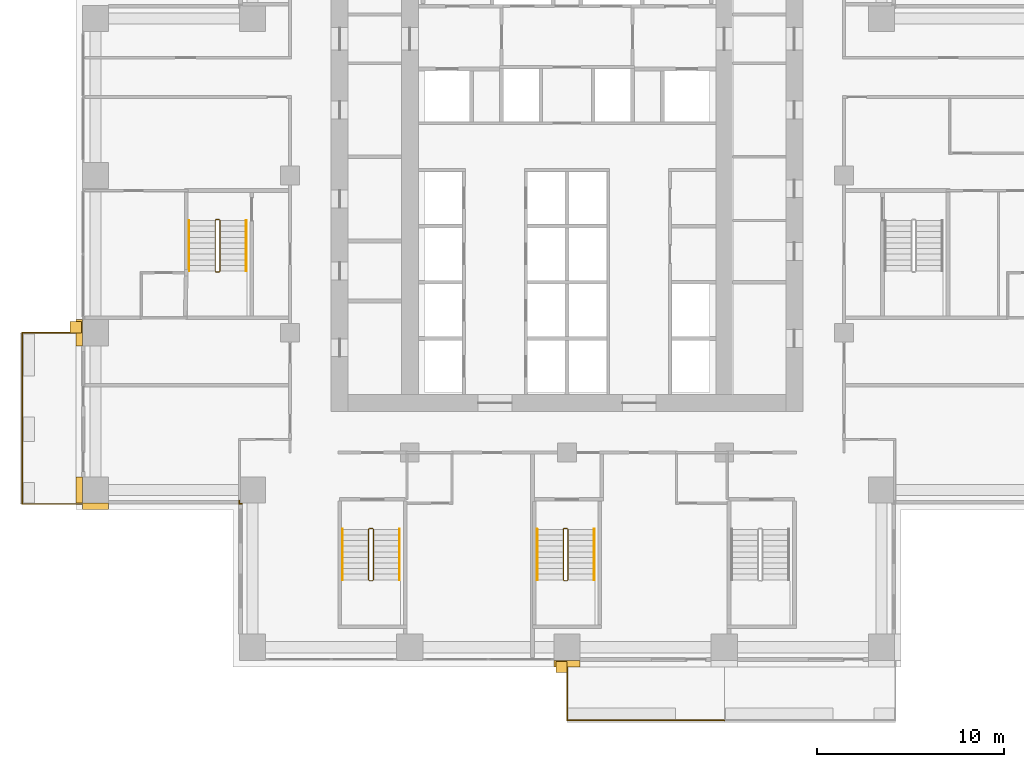
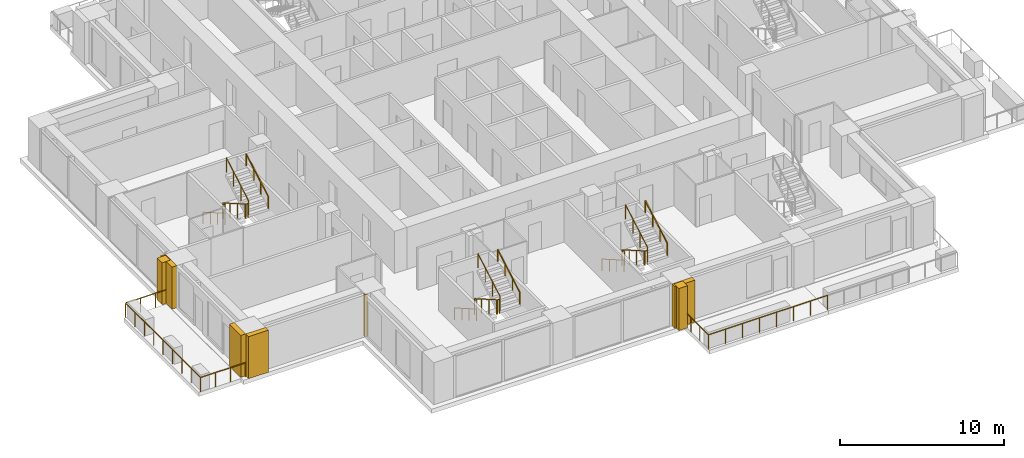
# One storey, part 15 of 17: 11 railings, 7 coverings.
"""IFC4 building model written with IfcOpenShell, lengths in metres."""

import ifcopenshell
import ifcopenshell.guid

model = None  # the IFC model being written
_history = None  # IfcOwnerHistory: only IFC2X3 demands one
_inside = {}  # id of a spatial element -> (the spatial element, [elements in it])
_under = {}  # id of a project, library or spatial element -> (it, [spatial elements below it])
_declared = {}  # id of a project -> (the project, [libraries it declares])
_typed = {}  # id of a type object -> (the type object, [elements of that type])
_made_of = {}  # id of a material, layer set ... -> (it, [elements and type objects made of it])


def new_model(schema):
    """Start an empty IFC model of exactly this schema.

    Asked for "IFC4X3", IfcOpenShell would pick the latest addendum, in which some entities
    have other attributes; the version numbers below select the first issue.
    IFC2X3 requires an IfcOwnerHistory on every rooted entity: one is made here for all.
    """
    global model, _history
    if schema == "IFC4X3":
        model = ifcopenshell.file(schema_version=(4, 3, 0, 0))
    else:
        model = ifcopenshell.file(schema=schema)
    _inside.clear()
    _under.clear()
    _declared.clear()
    _typed.clear()
    _made_of.clear()
    _history = None
    if model.schema == "IFC2X3":
        org = make("IfcOrganization", Name="unknown")
        user = make(
            "IfcPersonAndOrganization",
            ThePerson=make("IfcPerson", FamilyName="unknown"),
            TheOrganization=org,
        )
        app = make(
            "IfcApplication",
            ApplicationDeveloper=org,
            Version="unknown",
            ApplicationFullName="unknown",
            ApplicationIdentifier="unknown",
        )
        _history = make(
            "IfcOwnerHistory",
            OwningUser=user,
            OwningApplication=app,
            ChangeAction="ADDED",
            CreationDate=0,
        )
    return model


def make(cls, **values):
    """One entity of the class cls with the attributes given. An attribute that is None is left unset."""
    return model.create_entity(
        cls, **{name: value for name, value in values.items() if value is not None}
    )


def rooted(cls, **values):
    """An entity with a GlobalId (a new one), such as an element, a storey or a relation."""
    return make(cls, GlobalId=ifcopenshell.guid.new(), OwnerHistory=_history, **values)


def si_unit(unit_type, name, prefix=None):
    """IfcSIUnit, for example si_unit("LENGTHUNIT", "METRE", prefix="MILLI")."""
    return make("IfcSIUnit", UnitType=unit_type, Prefix=prefix, Name=name)


def assignment(units):
    """IfcUnitAssignment: the units of a project."""
    return None if units is None else make("IfcUnitAssignment", Units=units)


def point(xyz):
    """IfcCartesianPoint."""
    return None if xyz is None else make("IfcCartesianPoint", Coordinates=xyz)


def direction(xyz):
    """IfcDirection."""
    return None if xyz is None else make("IfcDirection", DirectionRatios=xyz)


def frame(location, z_axis=None, x_axis=None):
    """IfcAxis2Placement3D, a coordinate frame: its origin and axes. An axis left out is left unset."""
    return make(
        "IfcAxis2Placement3D",
        Location=point(location),
        Axis=direction(z_axis),
        RefDirection=direction(x_axis),
    )


def frame_2d(location, x_axis=None):
    """IfcAxis2Placement2D, a coordinate frame in the plane: its origin and x axis."""
    return make(
        "IfcAxis2Placement2D", Location=point(location), RefDirection=direction(x_axis)
    )


def origin():
    """The frame at (0, 0, 0) with its axes left unset."""
    return frame((0.0, 0.0, 0.0))


def origin_2d():
    """The frame at (0, 0) in the plane with its x axis left unset."""
    return frame_2d((0.0, 0.0))


def place(relative_to, where):
    """IfcLocalPlacement: puts the frame where relative to a parent placement (None: the world)."""
    return make(
        "IfcLocalPlacement", PlacementRelTo=relative_to, RelativePlacement=where
    )


def context(
    kind, dimensions, precision=None, world=None, true_north=None, identifier=None
):
    """IfcGeometricRepresentationContext, for example the 3D "Model" context."""
    return make(
        "IfcGeometricRepresentationContext",
        ContextIdentifier=identifier,
        ContextType=kind,
        CoordinateSpaceDimension=dimensions,
        Precision=precision,
        WorldCoordinateSystem=world,
        TrueNorth=true_north,
    )


def subcontext(parent, identifier, kind, view, scale=None):
    """IfcGeometricRepresentationSubContext, for example "Body" below "Model"."""
    return make(
        "IfcGeometricRepresentationSubContext",
        ContextIdentifier=identifier,
        ContextType=kind,
        ParentContext=parent,
        TargetScale=scale,
        TargetView=view,
    )


def project(units=None, contexts=None):
    """IfcProject with its units and contexts."""
    return rooted(
        "IfcProject",
        Name="project",
        RepresentationContexts=contexts,
        UnitsInContext=assignment(units),
    )


def spatial(cls, under=None, at=None, **own):
    """A site, building, storey or space (cls), placed at a placement, below another one or the project."""
    s = rooted(cls, ObjectPlacement=at, **own)
    if under is not None:
        _under.setdefault(under.id(), (under, []))[1].append(s)
    return s


def polyline(points):
    """IfcPolyline through the points."""
    return make("IfcPolyline", Points=[point(p) for p in points])


def profile(cls, at=None, kind="AREA", **sizes):
    """A parametric profile (cls). Its sizes go by their IFC names, for example OverallWidth=200.0."""
    return make(cls, ProfileType=kind, Position=at, **sizes)


def rectangle(**sizes):
    """IfcRectangleProfileDef."""
    return profile("IfcRectangleProfileDef", **sizes)


def outline(outer, holes=None, kind="AREA"):
    """IfcArbitraryClosedProfileDef: a profile drawn as a closed curve; with holes, ...WithVoids."""
    if holes is None:
        return make("IfcArbitraryClosedProfileDef", ProfileType=kind, OuterCurve=outer)
    return make(
        "IfcArbitraryProfileDefWithVoids",
        ProfileType=kind,
        OuterCurve=outer,
        InnerCurves=holes,
    )


def extrude(swept, where, along, depth):
    """IfcExtrudedAreaSolid: the profile swept, set in the frame where, extruded along a direction by depth."""
    return make(
        "IfcExtrudedAreaSolid",
        SweptArea=swept,
        Position=where,
        ExtrudedDirection=direction(along),
        Depth=depth,
    )


def shape(context_of_items, identifier, shape_type, items):
    """IfcShapeRepresentation: the items that make up one representation, for example the "Body"."""
    return make(
        "IfcShapeRepresentation",
        ContextOfItems=context_of_items,
        RepresentationIdentifier=identifier,
        RepresentationType=shape_type,
        Items=items,
    )


def material(Name=None, Category=None):
    """IfcMaterial."""
    return make("IfcMaterial", Name=Name, Category=Category)


def made_of(thing, what):
    """Note that an element or type object is made of a material, layer set ...; save() writes the relation."""
    if what is not None:
        _made_of.setdefault(what.id(), (what, []))[1].append(thing)
    return thing


def type_object(cls, material=None, **own):
    """A type object (cls), such as IfcWallType, which elements share."""
    return made_of(rooted(cls, **own), material)


def element(
    cls,
    number,
    at=None,
    inside=None,
    cuts=None,
    type_object=None,
    material=None,
    context=None,
    identifier="Body",
    shape_type=None,
    held_by="IfcProductDefinitionShape",
    body=None,
    shapes=None,
    **own,
):
    """One element of the class cls, such as IfcWall. Its Tag is "e" and its number.

    at: its placement. inside: the storey or other place that contains it. cuts: it is an
    opening in that element (IfcRelVoidsElement). A single representation is given by context,
    identifier, shape_type and body (its items); several are given by shapes. held_by: the class
    of the entity that holds the representations. save() writes the other relations.
    """
    e = rooted(cls, Tag="e%d" % number, ObjectPlacement=at, **own)
    if body is not None:
        shapes = [shape(context, identifier, shape_type, body)]
    if shapes is not None:
        e.Representation = make(held_by, Representations=shapes)
    if inside is not None:
        _inside.setdefault(inside.id(), (inside, []))[1].append(e)
    if cuts is not None:
        rooted(
            "IfcRelVoidsElement", RelatingBuildingElement=cuts, RelatedOpeningElement=e
        )
    if type_object is not None:
        _typed.setdefault(type_object.id(), (type_object, []))[1].append(e)
    return made_of(e, material)


def aggregate(whole, parts):
    """IfcRelAggregates: a whole, such as a stair, and the parts it consists of."""
    return rooted("IfcRelAggregates", RelatingObject=whole, RelatedObjects=parts)


def save(model, path):
    """Write the relations noted so far, then the file.

    IfcRelAggregates (storeys below a building ...), IfcRelContainedInSpatialStructure (elements
    in a storey), IfcRelDefinesByType, IfcRelAssociatesMaterial and IfcRelDeclares: one each for
    every whole, place, type object, material and project.
    """
    for whole, parts in _under.values():
        aggregate(whole, parts)
    for where, things in _inside.values():
        rooted(
            "IfcRelContainedInSpatialStructure",
            RelatedElements=things,
            RelatingStructure=where,
        )
    for kind, things in _typed.values():
        rooted("IfcRelDefinesByType", RelatedObjects=things, RelatingType=kind)
    for what, things in _made_of.values():
        rooted("IfcRelAssociatesMaterial", RelatedObjects=things, RelatingMaterial=what)
    for by, libraries in _declared.values():
        rooted("IfcRelDeclares", RelatingContext=by, RelatedDefinitions=libraries)
    model.write(path)


model = new_model("IFC4")

# Units and contexts
model_context = context("Model", 3, precision=1e-05, world=origin(), true_north=direction((0.0, 1.0)))
body_context = subcontext(model_context, "Body", "Model", "MODEL_VIEW")
ifc_project = project(units=[si_unit("LENGTHUNIT", "METRE"), si_unit("AREAUNIT", "SQUARE_METRE"), si_unit("VOLUMEUNIT", "CUBIC_METRE"), si_unit("PLANEANGLEUNIT", "RADIAN"), si_unit("MASSUNIT", "GRAM", prefix="KILO")], contexts=[model_context])

# Site, building, storey
site_placement = place(None, origin())
site = spatial("IfcSite", under=ifc_project, at=site_placement, CompositionType="ELEMENT")
building_placement = place(site_placement, origin())
building = spatial("IfcBuilding", under=site, at=building_placement, Name="Vermilion Ogive Tower", CompositionType="ELEMENT")
storey_placement = place(building_placement, frame((0.0, 0.0, 65.550048828125)))
storey = spatial("IfcBuildingStorey", under=building, at=storey_placement, Name="L15", CompositionType="ELEMENT", Elevation=65.550048828125)

# Railings
ifc_material_1 = material(Name="Stainless steel and glass", Category="steel")
railing_type_1 = type_object("IfcRailingType", Name="Balcony guard", PredefinedType="GUARDRAIL", material=ifc_material_1)
railing_1_placement = place(storey_placement, frame((0.0, -21.75, -0.0400390625)))
element("IfcRailing", 1, at=railing_1_placement, inside=storey, type_object=railing_type_1, Name="Guard S03", PredefinedType="GUARDRAIL", context=body_context, shape_type="SweptSolid", body=[
    extrude(rectangle(XDim=0.048095703125, YDim=0.048095703125, at=origin_2d()), frame((0.0, 0.0, 1.076171875), z_axis=(0.0, -1.0, 0.0), x_axis=(1.0, 0.0, 0.0)), (0.0, 0.0, 1.0), 3.159912109375),
    extrude(rectangle(XDim=0.048095703125, YDim=0.048095703125, at=origin_2d()), frame((0.0, -3.159912109375, 1.076171875), z_axis=(1.0, 0.0, 0.0), x_axis=(0.0, 1.0, 0.0)), (0.0, 0.0, 1.0), 8.39990234375),
    extrude(rectangle(XDim=0.0419921875, YDim=0.0419921875, at=origin_2d()), origin(), (0.0, 0.0, 1.0), 1.052001953125),
    extrude(rectangle(XDim=0.0419921875, YDim=0.0419921875, at=origin_2d()), frame((0.0, -1.05322265625, 0.0)), (0.0, 0.0, 1.0), 1.052001953125),
    extrude(rectangle(XDim=0.0419921875, YDim=0.0419921875, at=origin_2d()), frame((0.0, -2.106689453125, 0.0)), (0.0, 0.0, 1.0), 1.052001953125),
    extrude(rectangle(XDim=0.0419921875, YDim=0.0419921875, at=origin_2d()), frame((0.0, -3.159912109375, 0.0)), (0.0, 0.0, 1.0), 1.052001953125),
    extrude(rectangle(XDim=0.0419921875, YDim=0.0419921875, at=origin_2d()), frame((1.199951171875, -3.159912109375, 0.0)), (0.0, 0.0, 1.0), 1.052001953125),
    extrude(rectangle(XDim=0.0419921875, YDim=0.0419921875, at=origin_2d()), frame((2.39990234375, -3.159912109375, 0.0)), (0.0, 0.0, 1.0), 1.052001953125),
    extrude(rectangle(XDim=0.0419921875, YDim=0.0419921875, at=origin_2d()), frame((3.599853515625, -3.159912109375, 0.0)), (0.0, 0.0, 1.0), 1.052001953125),
    extrude(rectangle(XDim=0.0419921875, YDim=0.0419921875, at=origin_2d()), frame((4.800048828125, -3.159912109375, 0.0)), (0.0, 0.0, 1.0), 1.052001953125),
    extrude(rectangle(XDim=0.0419921875, YDim=0.0419921875, at=origin_2d()), frame((6.0, -3.159912109375, 0.0)), (0.0, 0.0, 1.0), 1.052001953125),
    extrude(rectangle(XDim=0.0419921875, YDim=0.0419921875, at=origin_2d()), frame((7.199951171875, -3.159912109375, 0.0)), (0.0, 0.0, 1.0), 1.052001953125),
    extrude(rectangle(XDim=0.0419921875, YDim=0.0419921875, at=origin_2d()), frame((8.39990234375, -3.159912109375, 0.0)), (0.0, 0.0, 1.0), 1.052001953125),
])
railing_2_placement = place(storey_placement, frame((-25.949951171875, -4.199951171875, -0.0400390625)))
element("IfcRailing", 2, at=railing_2_placement, inside=storey, type_object=railing_type_1, Name="Guard W03", PredefinedType="GUARDRAIL", context=body_context, shape_type="SweptSolid", body=[
    extrude(rectangle(XDim=0.048095703125, YDim=0.048095703125, at=origin_2d()), frame((0.0, 0.0, 1.076171875), z_axis=(-1.0, 0.0, 0.0), x_axis=(0.0, -1.0, 0.0)), (0.0, 0.0, 1.0), 3.16015625),
    extrude(rectangle(XDim=0.048095703125, YDim=0.048095703125, at=origin_2d()), frame((-3.16015625, 0.0, 1.076171875), z_axis=(0.0, -1.0, 0.0), x_axis=(1.0, 0.0, 0.0)), (0.0, 0.0, 1.0), 9.150146484375),
    extrude(rectangle(XDim=0.048095703125, YDim=0.048095703125, at=origin_2d()), frame((-3.16015625, -9.150146484375, 1.076171875), z_axis=(1.0, 0.0, 0.0), x_axis=(0.0, 1.0, 0.0)), (0.0, 0.0, 1.0), 3.16015625),
    extrude(rectangle(XDim=0.0419921875, YDim=0.0419921875, at=origin_2d()), origin(), (0.0, 0.0, 1.0), 1.052001953125),
    extrude(rectangle(XDim=0.0419921875, YDim=0.0419921875, at=origin_2d()), frame((-1.053466796875, 0.0, 0.0)), (0.0, 0.0, 1.0), 1.052001953125),
    extrude(rectangle(XDim=0.0419921875, YDim=0.0419921875, at=origin_2d()), frame((-2.106689453125, 0.0, 0.0)), (0.0, 0.0, 1.0), 1.052001953125),
    extrude(rectangle(XDim=0.0419921875, YDim=0.0419921875, at=origin_2d()), frame((-3.16015625, 0.0, 0.0)), (0.0, 0.0, 1.0), 1.052001953125),
    extrude(rectangle(XDim=0.0419921875, YDim=0.0419921875, at=origin_2d()), frame((-3.16015625, -1.143798828125, 0.0)), (0.0, 0.0, 1.0), 1.052001953125),
    extrude(rectangle(XDim=0.0419921875, YDim=0.0419921875, at=origin_2d()), frame((-3.16015625, -2.28759765625, 0.0)), (0.0, 0.0, 1.0), 1.052001953125),
    extrude(rectangle(XDim=0.0419921875, YDim=0.0419921875, at=origin_2d()), frame((-3.16015625, -3.431396484375, 0.0)), (0.0, 0.0, 1.0), 1.052001953125),
    extrude(rectangle(XDim=0.0419921875, YDim=0.0419921875, at=origin_2d()), frame((-3.16015625, -4.5751953125, 0.0)), (0.0, 0.0, 1.0), 1.052001953125),
    extrude(rectangle(XDim=0.0419921875, YDim=0.0419921875, at=origin_2d()), frame((-3.16015625, -5.71875, 0.0)), (0.0, 0.0, 1.0), 1.052001953125),
    extrude(rectangle(XDim=0.0419921875, YDim=0.0419921875, at=origin_2d()), frame((-3.16015625, -6.862548828125, 0.0)), (0.0, 0.0, 1.0), 1.052001953125),
    extrude(rectangle(XDim=0.0419921875, YDim=0.0419921875, at=origin_2d()), frame((-3.16015625, -8.00634765625, 0.0)), (0.0, 0.0, 1.0), 1.052001953125),
    extrude(rectangle(XDim=0.0419921875, YDim=0.0419921875, at=origin_2d()), frame((-3.16015625, -9.150146484375, 0.0)), (0.0, 0.0, 1.0), 1.052001953125),
    extrude(rectangle(XDim=0.0419921875, YDim=0.0419921875, at=origin_2d()), frame((-2.106689453125, -9.150146484375, 0.0)), (0.0, 0.0, 1.0), 1.052001953125),
    extrude(rectangle(XDim=0.0419921875, YDim=0.0419921875, at=origin_2d()), frame((-1.053466796875, -9.150146484375, 0.0)), (0.0, 0.0, 1.0), 1.052001953125),
    extrude(rectangle(XDim=0.0419921875, YDim=0.0419921875, at=origin_2d()), frame((0.0, -9.150146484375, 0.0)), (0.0, 0.0, 1.0), 1.052001953125),
])
ifc_material_2 = material(Name="Steel S355 painted", Category="steel")
railing_type_2 = type_object("IfcRailingType", Name="Stair guard 1100", PredefinedType="GUARDRAIL", material=ifc_material_2)
railing_3_placement = place(storey_placement, frame((-10.39990234375, -14.64990234375, 0.0)))
element("IfcRailing", 3, at=railing_3_placement, inside=storey, type_object=railing_type_2, Name="L15 ST3 stair guard 4", PredefinedType="GUARDRAIL", context=body_context, shape_type="SweptSolid", body=[
    extrude(rectangle(XDim=0.048095703125, YDim=0.048095703125, at=origin_2d()), frame((0.0, 0.0, 1.076171875), z_axis=(-1.0, 0.0, 0.0), x_axis=(0.0, -1.0, 0.0)), (0.0, 0.0, 1.0), 0.150146484375),
    extrude(rectangle(XDim=0.048095703125, YDim=0.048095703125, at=origin_2d()), frame((-0.150146484375, 0.0, 1.076171875), z_axis=(-0.268603158521, -0.268603158521, 0.925043072762), x_axis=(0.707106781187, -0.707106781187, 0.0)), (0.0, 0.0, 1.0), 0.186279296875),
    extrude(rectangle(XDim=0.048095703125, YDim=0.048095703125, at=origin_2d()), frame((-0.2001953125, -0.050048828125, 1.24853515625), z_axis=(0.0, -0.866903762492, 0.498475542607), x_axis=(1.0, 0.0, 0.0)), (0.0, 0.0, 1.0), 3.114501953125),
    extrude(rectangle(XDim=0.048095703125, YDim=0.048095703125, at=origin_2d()), frame((-0.2001953125, -2.75, 2.80078125), z_axis=(0.707106781187, -0.707106781187, 0.0), x_axis=(0.707106781187, 0.707106781187, 0.0)), (0.0, 0.0, 1.0), 0.07080078125),
    extrude(rectangle(XDim=0.048095703125, YDim=0.048095703125, at=origin_2d()), frame((-0.150146484375, -2.800048828125, 2.80078125), z_axis=(1.0, 0.0, 0.0), x_axis=(0.0, 1.0, 0.0)), (0.0, 0.0, 1.0), 0.150146484375),
    extrude(rectangle(XDim=0.048095703125, YDim=0.048095703125, at=origin_2d()), frame((0.0, -2.800048828125, 2.80078125), z_axis=(0.267062837333, 0.268371968888, 0.925556009775), x_axis=(-0.708833529934, 0.705375805398, 0.0)), (0.0, 0.0, 1.0), 0.1865234375),
    extrude(rectangle(XDim=0.048095703125, YDim=0.048095703125, at=origin_2d()), frame((0.0498046875, -2.75, 2.9736328125), z_axis=(0.0, 0.866903762492, 0.498475542607), x_axis=(-1.0, 0.0, 0.0)), (0.0, 0.0, 1.0), 3.114501953125),
    extrude(rectangle(XDim=0.0419921875, YDim=0.0419921875, at=origin_2d()), origin(), (0.0, 0.0, 1.0), 1.052001953125),
    extrude(rectangle(XDim=0.0419921875, YDim=0.0419921875, at=origin_2d()), frame((-0.150146484375, 0.0, 0.0)), (0.0, 0.0, 1.0), 1.052001953125),
    extrude(rectangle(XDim=0.0419921875, YDim=0.0419921875, at=origin_2d()), frame((-0.2001953125, -0.050048828125, 0.17236328125)), (0.0, 0.0, 1.0), 1.052001953125),
    extrude(rectangle(XDim=0.0419921875, YDim=0.0419921875, at=origin_2d()), frame((-0.2001953125, -0.949951171875, 0.68994140625)), (0.0, 0.0, 1.0), 1.052001953125),
    extrude(rectangle(XDim=0.0419921875, YDim=0.0419921875, at=origin_2d()), frame((-0.2001953125, -1.85009765625, 1.207275390625)), (0.0, 0.0, 1.0), 1.052001953125),
    extrude(rectangle(XDim=0.0419921875, YDim=0.0419921875, at=origin_2d()), frame((-0.2001953125, -2.75, 1.724853515625)), (0.0, 0.0, 1.0), 1.052001953125),
    extrude(rectangle(XDim=0.0419921875, YDim=0.0419921875, at=origin_2d()), frame((-0.150146484375, -2.800048828125, 1.724853515625)), (0.0, 0.0, 1.0), 1.052001953125),
    extrude(rectangle(XDim=0.0419921875, YDim=0.0419921875, at=origin_2d()), frame((0.0, -2.800048828125, 1.724853515625)), (0.0, 0.0, 1.0), 1.052001953125),
    extrude(rectangle(XDim=0.0419921875, YDim=0.0419921875, at=origin_2d()), frame((0.0498046875, -2.75, 1.8974609375)), (0.0, 0.0, 1.0), 1.052001953125),
    extrude(rectangle(XDim=0.0419921875, YDim=0.0419921875, at=origin_2d()), frame((0.0498046875, -1.85009765625, 2.4150390625)), (0.0, 0.0, 1.0), 1.052001953125),
    extrude(rectangle(XDim=0.0419921875, YDim=0.0419921875, at=origin_2d()), frame((0.0498046875, -0.949951171875, 2.932373046875)), (0.0, 0.0, 1.0), 1.052001953125),
    extrude(rectangle(XDim=0.0419921875, YDim=0.0419921875, at=origin_2d()), frame((0.0498046875, -0.050048828125, 3.449951171875)), (0.0, 0.0, 1.0), 1.052001953125),
])
railing_4_placement = place(storey_placement, frame((0.0, -14.64990234375, 0.0)))
element("IfcRailing", 4, at=railing_4_placement, inside=storey, type_object=railing_type_2, Name="L15 ST4 stair guard 4", PredefinedType="GUARDRAIL", context=body_context, shape_type="SweptSolid", body=[
    extrude(rectangle(XDim=0.048095703125, YDim=0.048095703125, at=origin_2d()), frame((0.0, 0.0, 1.076171875), z_axis=(-1.0, 0.0, 0.0), x_axis=(0.0, -1.0, 0.0)), (0.0, 0.0, 1.0), 0.14990234375),
    extrude(rectangle(XDim=0.048095703125, YDim=0.048095703125, at=origin_2d()), frame((-0.14990234375, 0.0, 1.076171875), z_axis=(-0.268603158521, -0.268603158521, 0.925043072762), x_axis=(0.707106781187, -0.707106781187, 0.0)), (0.0, 0.0, 1.0), 0.186279296875),
    extrude(rectangle(XDim=0.048095703125, YDim=0.048095703125, at=origin_2d()), frame((-0.199951171875, -0.050048828125, 1.24853515625), z_axis=(0.0, -0.866903762492, 0.498475542607), x_axis=(1.0, 0.0, 0.0)), (0.0, 0.0, 1.0), 3.114501953125),
    extrude(rectangle(XDim=0.048095703125, YDim=0.048095703125, at=origin_2d()), frame((-0.199951171875, -2.75, 2.80078125), z_axis=(0.707106781187, -0.707106781187, 0.0), x_axis=(0.707106781187, 0.707106781187, 0.0)), (0.0, 0.0, 1.0), 0.07080078125),
    extrude(rectangle(XDim=0.048095703125, YDim=0.048095703125, at=origin_2d()), frame((-0.14990234375, -2.800048828125, 2.80078125), z_axis=(1.0, 0.0, 0.0), x_axis=(0.0, 1.0, 0.0)), (0.0, 0.0, 1.0), 0.14990234375),
    extrude(rectangle(XDim=0.048095703125, YDim=0.048095703125, at=origin_2d()), frame((0.0, -2.800048828125, 2.80078125), z_axis=(0.268277960024, 0.268277960024, 0.925231793839), x_axis=(-0.707106781187, 0.707106781187, 0.0)), (0.0, 0.0, 1.0), 0.1865234375),
    extrude(rectangle(XDim=0.048095703125, YDim=0.048095703125, at=origin_2d()), frame((0.050048828125, -2.75, 2.9736328125), z_axis=(0.0, 0.866903762492, 0.498475542607), x_axis=(-1.0, 0.0, 0.0)), (0.0, 0.0, 1.0), 3.114501953125),
    extrude(rectangle(XDim=0.0419921875, YDim=0.0419921875, at=origin_2d()), origin(), (0.0, 0.0, 1.0), 1.052001953125),
    extrude(rectangle(XDim=0.0419921875, YDim=0.0419921875, at=origin_2d()), frame((-0.14990234375, 0.0, 0.0)), (0.0, 0.0, 1.0), 1.052001953125),
    extrude(rectangle(XDim=0.0419921875, YDim=0.0419921875, at=origin_2d()), frame((-0.199951171875, -0.050048828125, 0.17236328125)), (0.0, 0.0, 1.0), 1.052001953125),
    extrude(rectangle(XDim=0.0419921875, YDim=0.0419921875, at=origin_2d()), frame((-0.199951171875, -0.949951171875, 0.68994140625)), (0.0, 0.0, 1.0), 1.052001953125),
    extrude(rectangle(XDim=0.0419921875, YDim=0.0419921875, at=origin_2d()), frame((-0.199951171875, -1.85009765625, 1.207275390625)), (0.0, 0.0, 1.0), 1.052001953125),
    extrude(rectangle(XDim=0.0419921875, YDim=0.0419921875, at=origin_2d()), frame((-0.199951171875, -2.75, 1.724853515625)), (0.0, 0.0, 1.0), 1.052001953125),
    extrude(rectangle(XDim=0.0419921875, YDim=0.0419921875, at=origin_2d()), frame((-0.14990234375, -2.800048828125, 1.724853515625)), (0.0, 0.0, 1.0), 1.052001953125),
    extrude(rectangle(XDim=0.0419921875, YDim=0.0419921875, at=origin_2d()), frame((0.0, -2.800048828125, 1.724853515625)), (0.0, 0.0, 1.0), 1.052001953125),
    extrude(rectangle(XDim=0.0419921875, YDim=0.0419921875, at=origin_2d()), frame((0.050048828125, -2.75, 1.8974609375)), (0.0, 0.0, 1.0), 1.052001953125),
    extrude(rectangle(XDim=0.0419921875, YDim=0.0419921875, at=origin_2d()), frame((0.050048828125, -1.85009765625, 2.4150390625)), (0.0, 0.0, 1.0), 1.052001953125),
    extrude(rectangle(XDim=0.0419921875, YDim=0.0419921875, at=origin_2d()), frame((0.050048828125, -0.949951171875, 2.932373046875)), (0.0, 0.0, 1.0), 1.052001953125),
    extrude(rectangle(XDim=0.0419921875, YDim=0.0419921875, at=origin_2d()), frame((0.050048828125, -0.050048828125, 3.449951171875)), (0.0, 0.0, 1.0), 1.052001953125),
])
railing_5_placement = place(storey_placement, frame((-18.60009765625, 1.85009765625, 0.0)))
element("IfcRailing", 5, at=railing_5_placement, inside=storey, type_object=railing_type_2, Name="L15 ST9 stair guard 4", PredefinedType="GUARDRAIL", context=body_context, shape_type="SweptSolid", body=[
    extrude(rectangle(XDim=0.048095703125, YDim=0.048095703125, at=origin_2d()), frame((0.0, 0.0, 1.076171875), z_axis=(-1.0, 0.0, 0.0), x_axis=(0.0, -1.0, 0.0)), (0.0, 0.0, 1.0), 0.14990234375),
    extrude(rectangle(XDim=0.048095703125, YDim=0.048095703125, at=origin_2d()), frame((-0.14990234375, 0.0, 1.076171875), z_axis=(-0.268603158521, -0.268603158521, 0.925043072762), x_axis=(0.707106781187, -0.707106781187, 0.0)), (0.0, 0.0, 1.0), 0.186279296875),
    extrude(rectangle(XDim=0.048095703125, YDim=0.048095703125, at=origin_2d()), frame((-0.199951171875, -0.050048828125, 1.24853515625), z_axis=(0.0, -0.866903762492, 0.498475542607), x_axis=(1.0, 0.0, 0.0)), (0.0, 0.0, 1.0), 3.114501953125),
    extrude(rectangle(XDim=0.048095703125, YDim=0.048095703125, at=origin_2d()), frame((-0.199951171875, -2.75, 2.80078125), z_axis=(0.707106781187, -0.707106781187, 0.0), x_axis=(0.707106781187, 0.707106781187, 0.0)), (0.0, 0.0, 1.0), 0.07080078125),
    extrude(rectangle(XDim=0.048095703125, YDim=0.048095703125, at=origin_2d()), frame((-0.14990234375, -2.800048828125, 2.80078125), z_axis=(1.0, 0.0, 0.0), x_axis=(0.0, 1.0, 0.0)), (0.0, 0.0, 1.0), 0.14990234375),
    extrude(rectangle(XDim=0.048095703125, YDim=0.048095703125, at=origin_2d()), frame((0.0, -2.800048828125, 2.80078125), z_axis=(0.268277960024, 0.268277960024, 0.925231793839), x_axis=(-0.707106781187, 0.707106781187, 0.0)), (0.0, 0.0, 1.0), 0.1865234375),
    extrude(rectangle(XDim=0.048095703125, YDim=0.048095703125, at=origin_2d()), frame((0.050048828125, -2.75, 2.9736328125), z_axis=(0.0, 0.866903762492, 0.498475542607), x_axis=(-1.0, 0.0, 0.0)), (0.0, 0.0, 1.0), 3.114501953125),
    extrude(rectangle(XDim=0.0419921875, YDim=0.0419921875, at=origin_2d()), origin(), (0.0, 0.0, 1.0), 1.052001953125),
    extrude(rectangle(XDim=0.0419921875, YDim=0.0419921875, at=origin_2d()), frame((-0.14990234375, 0.0, 0.0)), (0.0, 0.0, 1.0), 1.052001953125),
    extrude(rectangle(XDim=0.0419921875, YDim=0.0419921875, at=origin_2d()), frame((-0.199951171875, -0.050048828125, 0.17236328125)), (0.0, 0.0, 1.0), 1.052001953125),
    extrude(rectangle(XDim=0.0419921875, YDim=0.0419921875, at=origin_2d()), frame((-0.199951171875, -0.949951171875, 0.68994140625)), (0.0, 0.0, 1.0), 1.052001953125),
    extrude(rectangle(XDim=0.0419921875, YDim=0.0419921875, at=origin_2d()), frame((-0.199951171875, -1.85009765625, 1.207275390625)), (0.0, 0.0, 1.0), 1.052001953125),
    extrude(rectangle(XDim=0.0419921875, YDim=0.0419921875, at=origin_2d()), frame((-0.199951171875, -2.75, 1.724853515625)), (0.0, 0.0, 1.0), 1.052001953125),
    extrude(rectangle(XDim=0.0419921875, YDim=0.0419921875, at=origin_2d()), frame((-0.14990234375, -2.800048828125, 1.724853515625)), (0.0, 0.0, 1.0), 1.052001953125),
    extrude(rectangle(XDim=0.0419921875, YDim=0.0419921875, at=origin_2d()), frame((0.0, -2.800048828125, 1.724853515625)), (0.0, 0.0, 1.0), 1.052001953125),
    extrude(rectangle(XDim=0.0419921875, YDim=0.0419921875, at=origin_2d()), frame((0.050048828125, -2.75, 1.8974609375)), (0.0, 0.0, 1.0), 1.052001953125),
    extrude(rectangle(XDim=0.0419921875, YDim=0.0419921875, at=origin_2d()), frame((0.050048828125, -1.85009765625, 2.4150390625)), (0.0, 0.0, 1.0), 1.052001953125),
    extrude(rectangle(XDim=0.0419921875, YDim=0.0419921875, at=origin_2d()), frame((0.050048828125, -0.949951171875, 2.932373046875)), (0.0, 0.0, 1.0), 1.052001953125),
    extrude(rectangle(XDim=0.0419921875, YDim=0.0419921875, at=origin_2d()), frame((0.050048828125, -0.050048828125, 3.449951171875)), (0.0, 0.0, 1.0), 1.052001953125),
])
ifc_material_3 = material(Name="Stainless steel", Category="steel")
railing_type_3 = type_object("IfcRailingType", Name="Stair handrail 900", PredefinedType="HANDRAIL", material=ifc_material_3)
railing_6_placement = place(storey_placement, frame((-12.0, -14.699951171875, 0.17236328125)))
element("IfcRailing", 6, at=railing_6_placement, inside=storey, type_object=railing_type_3, Name="L15 ST3 stair handrail 1", PredefinedType="HANDRAIL", context=body_context, shape_type="SweptSolid", body=[
    extrude(rectangle(XDim=0.048095703125, YDim=0.048095703125, at=origin_2d()), frame((0.0, 0.0, 0.8759765625), z_axis=(0.0, -0.866903762492, 0.498475542607), x_axis=(1.0, 0.0, 0.0)), (0.0, 0.0, 1.0), 3.114501953125),
    extrude(rectangle(XDim=0.0419921875, YDim=0.0419921875, at=origin_2d()), origin(), (0.0, 0.0, 1.0), 0.851806640625),
    extrude(rectangle(XDim=0.0419921875, YDim=0.0419921875, at=origin_2d()), frame((0.0, -0.89990234375, 0.517578125)), (0.0, 0.0, 1.0), 0.851806640625),
    extrude(rectangle(XDim=0.0419921875, YDim=0.0419921875, at=origin_2d()), frame((0.0, -1.800048828125, 1.034912109375)), (0.0, 0.0, 1.0), 0.851806640625),
    extrude(rectangle(XDim=0.0419921875, YDim=0.0419921875, at=origin_2d()), frame((0.0, -2.699951171875, 1.552490234375)), (0.0, 0.0, 1.0), 0.851806640625),
])
railing_7_placement = place(storey_placement, frame((-8.949951171875, -17.39990234375, 1.8974609375)))
element("IfcRailing", 7, at=railing_7_placement, inside=storey, type_object=railing_type_3, Name="L15 ST3 stair handrail 2", PredefinedType="HANDRAIL", context=body_context, shape_type="SweptSolid", body=[
    extrude(rectangle(XDim=0.048095703125, YDim=0.048095703125, at=origin_2d()), frame((0.0, 0.0, 0.8759765625), z_axis=(0.0, 0.866903762492, 0.498475542607), x_axis=(-1.0, 0.0, 0.0)), (0.0, 0.0, 1.0), 3.114501953125),
    extrude(rectangle(XDim=0.0419921875, YDim=0.0419921875, at=origin_2d()), origin(), (0.0, 0.0, 1.0), 0.851806640625),
    extrude(rectangle(XDim=0.0419921875, YDim=0.0419921875, at=origin_2d()), frame((0.0, 0.89990234375, 0.517578125)), (0.0, 0.0, 1.0), 0.851806640625),
    extrude(rectangle(XDim=0.0419921875, YDim=0.0419921875, at=origin_2d()), frame((0.0, 1.800048828125, 1.034912109375)), (0.0, 0.0, 1.0), 0.851806640625),
    extrude(rectangle(XDim=0.0419921875, YDim=0.0419921875, at=origin_2d()), frame((0.0, 2.699951171875, 1.552490234375)), (0.0, 0.0, 1.0), 0.851806640625),
])
railing_8_placement = place(storey_placement, frame((-1.60009765625, -14.699951171875, 0.17236328125)))
element("IfcRailing", 8, at=railing_8_placement, inside=storey, type_object=railing_type_3, Name="L15 ST4 stair handrail 1", PredefinedType="HANDRAIL", context=body_context, shape_type="SweptSolid", body=[
    extrude(rectangle(XDim=0.048095703125, YDim=0.048095703125, at=origin_2d()), frame((0.0, 0.0, 0.8759765625), z_axis=(0.0, -0.866903762492, 0.498475542607), x_axis=(1.0, 0.0, 0.0)), (0.0, 0.0, 1.0), 3.114501953125),
    extrude(rectangle(XDim=0.0419921875, YDim=0.0419921875, at=origin_2d()), origin(), (0.0, 0.0, 1.0), 0.851806640625),
    extrude(rectangle(XDim=0.0419921875, YDim=0.0419921875, at=origin_2d()), frame((0.0, -0.89990234375, 0.517578125)), (0.0, 0.0, 1.0), 0.851806640625),
    extrude(rectangle(XDim=0.0419921875, YDim=0.0419921875, at=origin_2d()), frame((0.0, -1.800048828125, 1.034912109375)), (0.0, 0.0, 1.0), 0.851806640625),
    extrude(rectangle(XDim=0.0419921875, YDim=0.0419921875, at=origin_2d()), frame((0.0, -2.699951171875, 1.552490234375)), (0.0, 0.0, 1.0), 0.851806640625),
])
railing_9_placement = place(storey_placement, frame((1.449951171875, -17.39990234375, 1.8974609375)))
element("IfcRailing", 9, at=railing_9_placement, inside=storey, type_object=railing_type_3, Name="L15 ST4 stair handrail 2", PredefinedType="HANDRAIL", context=body_context, shape_type="SweptSolid", body=[
    extrude(rectangle(XDim=0.048095703125, YDim=0.048095703125, at=origin_2d()), frame((0.0, 0.0, 0.8759765625), z_axis=(0.0, 0.866903762492, 0.498475542607), x_axis=(-1.0, 0.0, 0.0)), (0.0, 0.0, 1.0), 3.114501953125),
    extrude(rectangle(XDim=0.0419921875, YDim=0.0419921875, at=origin_2d()), origin(), (0.0, 0.0, 1.0), 0.851806640625),
    extrude(rectangle(XDim=0.0419921875, YDim=0.0419921875, at=origin_2d()), frame((0.0, 0.89990234375, 0.517578125)), (0.0, 0.0, 1.0), 0.851806640625),
    extrude(rectangle(XDim=0.0419921875, YDim=0.0419921875, at=origin_2d()), frame((0.0, 1.800048828125, 1.034912109375)), (0.0, 0.0, 1.0), 0.851806640625),
    extrude(rectangle(XDim=0.0419921875, YDim=0.0419921875, at=origin_2d()), frame((0.0, 2.699951171875, 1.552490234375)), (0.0, 0.0, 1.0), 0.851806640625),
])
railing_10_placement = place(storey_placement, frame((-20.199951171875, 1.800048828125, 0.17236328125)))
element("IfcRailing", 10, at=railing_10_placement, inside=storey, type_object=railing_type_3, Name="L15 ST9 stair handrail 1", PredefinedType="HANDRAIL", context=body_context, shape_type="SweptSolid", body=[
    extrude(rectangle(XDim=0.048095703125, YDim=0.048095703125, at=origin_2d()), frame((0.0, 0.0, 0.8759765625), z_axis=(0.0, -0.866903762492, 0.498475542607), x_axis=(1.0, 0.0, 0.0)), (0.0, 0.0, 1.0), 3.114501953125),
    extrude(rectangle(XDim=0.0419921875, YDim=0.0419921875, at=origin_2d()), origin(), (0.0, 0.0, 1.0), 0.851806640625),
    extrude(rectangle(XDim=0.0419921875, YDim=0.0419921875, at=origin_2d()), frame((0.0, -0.89990234375, 0.517578125)), (0.0, 0.0, 1.0), 0.851806640625),
    extrude(rectangle(XDim=0.0419921875, YDim=0.0419921875, at=origin_2d()), frame((0.0, -1.800048828125, 1.034912109375)), (0.0, 0.0, 1.0), 0.851806640625),
    extrude(rectangle(XDim=0.0419921875, YDim=0.0419921875, at=origin_2d()), frame((0.0, -2.699951171875, 1.552490234375)), (0.0, 0.0, 1.0), 0.851806640625),
])
railing_11_placement = place(storey_placement, frame((-17.14990234375, -0.89990234375, 1.8974609375)))
element("IfcRailing", 11, at=railing_11_placement, inside=storey, type_object=railing_type_3, Name="L15 ST9 stair handrail 2", PredefinedType="HANDRAIL", context=body_context, shape_type="SweptSolid", body=[
    extrude(rectangle(XDim=0.048095703125, YDim=0.048095703125, at=origin_2d()), frame((0.0, 0.0, 0.8759765625), z_axis=(0.0, 0.866903762492, 0.498475542607), x_axis=(-1.0, 0.0, 0.0)), (0.0, 0.0, 1.0), 3.114501953125),
    extrude(rectangle(XDim=0.0419921875, YDim=0.0419921875, at=origin_2d()), origin(), (0.0, 0.0, 1.0), 0.851806640625),
    extrude(rectangle(XDim=0.0419921875, YDim=0.0419921875, at=origin_2d()), frame((0.0, 0.89990234375, 0.517578125)), (0.0, 0.0, 1.0), 0.851806640625),
    extrude(rectangle(XDim=0.0419921875, YDim=0.0419921875, at=origin_2d()), frame((0.0, 1.800048828125, 1.034912109375)), (0.0, 0.0, 1.0), 0.851806640625),
    extrude(rectangle(XDim=0.0419921875, YDim=0.0419921875, at=origin_2d()), frame((0.0, 2.699951171875, 1.552490234375)), (0.0, 0.0, 1.0), 0.851806640625),
])

# Coverings
ifc_material_4 = material(Name="Stone cladding", Category="masonry")
covering_type_1 = type_object("IfcCoveringType", Name="Stone corner buttress", PredefinedType="CLADDING", material=ifc_material_4)
covering_1_placement = place(storey_placement, origin())
element("IfcCovering", 12, at=covering_1_placement, inside=storey, type_object=covering_type_1, Name="Stone crease pier SK", PredefinedType="CLADDING", context=body_context, shape_type="SweptSolid", body=[
    extrude(outline(polyline([(-0.60009765625, -22.35009765625), (0.0, -22.35009765625), (0.0, -21.75), (-0.60009765625, -21.75), (-0.60009765625, -22.35009765625)])), origin(), (0.0, 0.0, 1.0), 3.1298828125),
])
covering_2_placement = place(storey_placement, origin())
element("IfcCovering", 13, at=covering_2_placement, inside=storey, type_object=covering_type_1, Name="Stone crease pier WK", PredefinedType="CLADDING", context=body_context, shape_type="SweptSolid", body=[
    extrude(outline(polyline([(-26.550048828125, -3.60009765625), (-26.550048828125, -4.199951171875), (-25.949951171875, -4.199951171875), (-25.949951171875, -3.60009765625), (-26.550048828125, -3.60009765625)])), origin(), (0.0, 0.0, 1.0), 3.1298828125),
])
ifc_material_5 = material(Name="Stone cladding", Category="masonry")
covering_type_2 = type_object("IfcCoveringType", Name="Stone pier", PredefinedType="CLADDING", material=ifc_material_5)
covering_3_placement = place(storey_placement, origin())
element("IfcCovering", 14, at=covering_3_placement, inside=storey, type_object=covering_type_2, Name="Stone corner pier X7E1", PredefinedType="CLADDING", context=body_context, shape_type="SweptSolid", body=[
    extrude(outline(polyline([(-17.5, -13.14990234375), (-17.5, -13.300048828125), (-17.35009765625, -13.300048828125), (-17.35009765625, -13.35009765625), (-17.550048828125, -13.35009765625), (-17.550048828125, -13.14990234375), (-17.5, -13.14990234375)])), origin(), (0.0, 0.0, 1.0), 3.1298828125),
])
covering_4_placement = place(storey_placement, origin())
element("IfcCovering", 15, at=covering_4_placement, inside=storey, type_object=covering_type_2, Name="Stone pier P+0000-210", PredefinedType="CLADDING", context=body_context, shape_type="SweptSolid", body=[
    extrude(outline(polyline([(0.699951171875, -22.050048828125), (0.0, -22.050048828125), (0.0, -21.75), (-0.60009765625, -21.75), (-0.60009765625, -22.050048828125), (-0.699951171875, -22.050048828125), (-0.699951171875, -21.699951171875), (0.699951171875, -21.699951171875), (0.699951171875, -22.050048828125)])), origin(), (0.0, 0.0, 1.0), 3.1298828125),
])
covering_5_placement = place(storey_placement, origin())
element("IfcCovering", 16, at=covering_5_placement, inside=storey, type_object=covering_type_2, Name="Stone pier P-0252-042", PredefinedType="CLADDING", context=body_context, shape_type="SweptSolid", body=[
    extrude(outline(polyline([(-26.25, -4.89990234375), (-26.25, -4.199951171875), (-25.949951171875, -4.199951171875), (-25.949951171875, -3.60009765625), (-26.25, -3.60009765625), (-26.25, -3.5), (-25.89990234375, -3.5), (-25.89990234375, -4.89990234375), (-26.25, -4.89990234375)])), origin(), (0.0, 0.0, 1.0), 3.1298828125),
])
covering_6_placement = place(storey_placement, origin())
element("IfcCovering", 17, at=covering_6_placement, inside=storey, type_object=covering_type_2, Name="Stone pier P-0252-126W", PredefinedType="CLADDING", context=body_context, shape_type="SweptSolid", body=[
    extrude(outline(polyline([(-26.25, -13.300048828125), (-26.25, -11.89990234375), (-25.89990234375, -11.89990234375), (-25.89990234375, -13.300048828125), (-26.25, -13.300048828125)])), origin(), (0.0, 0.0, 1.0), 3.1298828125),
])
covering_7_placement = place(storey_placement, origin())
element("IfcCovering", 18, at=covering_7_placement, inside=storey, type_object=covering_type_2, Name="Stone pier P-0252-126X7", PredefinedType="CLADDING", context=body_context, shape_type="SweptSolid", body=[
    extrude(outline(polyline([(-25.89990234375, -13.64990234375), (-25.89990234375, -13.300048828125), (-24.5, -13.300048828125), (-24.5, -13.64990234375), (-25.89990234375, -13.64990234375)])), origin(), (0.0, 0.0, 1.0), 3.1298828125),
])

save(model, "model.ifc")
